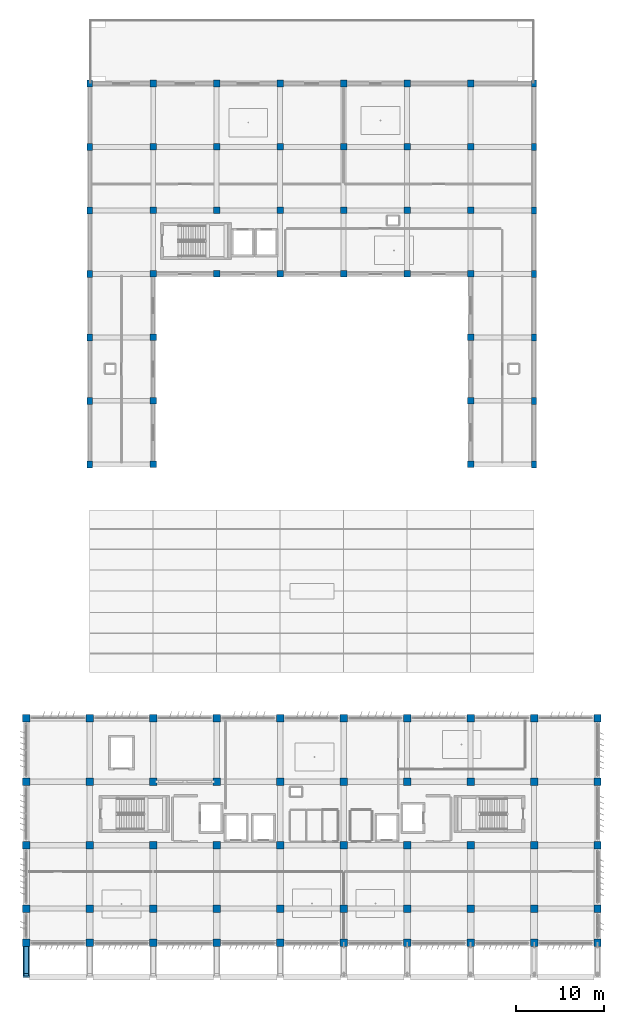
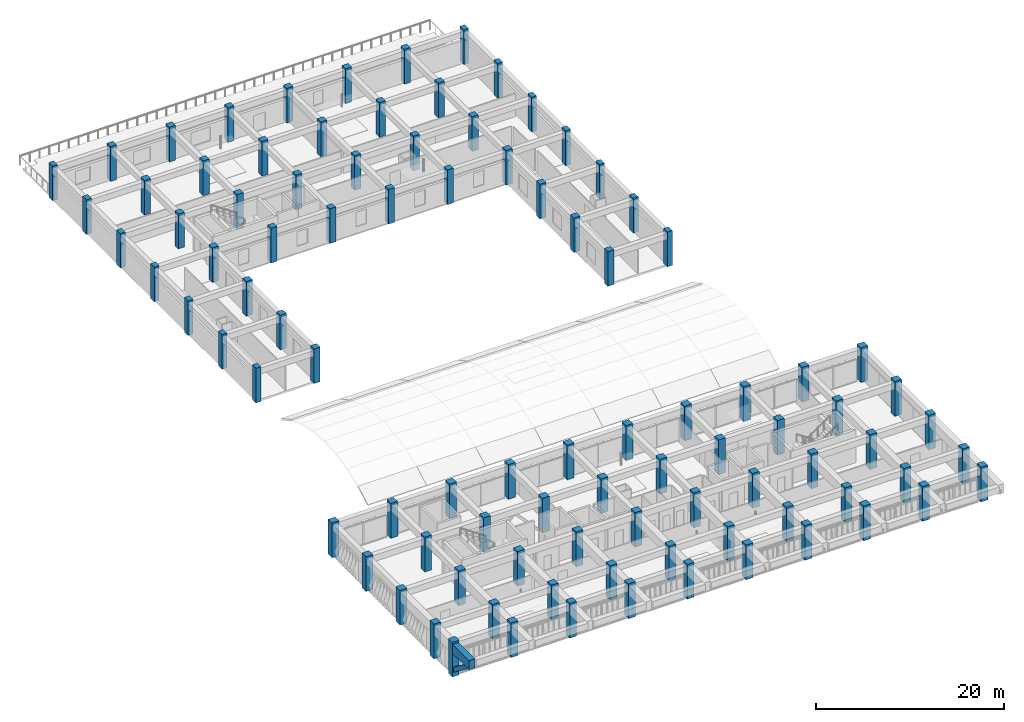
# One storey, part 1 of 56: 94 columns, 1 beam, 1 member.
"""IFC4 building model written with IfcOpenShell, lengths in metres."""

import ifcopenshell
import ifcopenshell.guid

model = None  # the IFC model being written
_history = None  # IfcOwnerHistory: only IFC2X3 demands one
_inside = {}  # id of a spatial element -> (the spatial element, [elements in it])
_under = {}  # id of a project, library or spatial element -> (it, [spatial elements below it])
_declared = {}  # id of a project -> (the project, [libraries it declares])
_typed = {}  # id of a type object -> (the type object, [elements of that type])
_made_of = {}  # id of a material, layer set ... -> (it, [elements and type objects made of it])


def new_model(schema):
    """Start an empty IFC model of exactly this schema.

    Asked for "IFC4X3", IfcOpenShell would pick the latest addendum, in which some entities
    have other attributes; the version numbers below select the first issue.
    IFC2X3 requires an IfcOwnerHistory on every rooted entity: one is made here for all.
    """
    global model, _history
    if schema == "IFC4X3":
        model = ifcopenshell.file(schema_version=(4, 3, 0, 0))
    else:
        model = ifcopenshell.file(schema=schema)
    _inside.clear()
    _under.clear()
    _declared.clear()
    _typed.clear()
    _made_of.clear()
    _history = None
    if model.schema == "IFC2X3":
        org = make("IfcOrganization", Name="unknown")
        user = make(
            "IfcPersonAndOrganization",
            ThePerson=make("IfcPerson", FamilyName="unknown"),
            TheOrganization=org,
        )
        app = make(
            "IfcApplication",
            ApplicationDeveloper=org,
            Version="unknown",
            ApplicationFullName="unknown",
            ApplicationIdentifier="unknown",
        )
        _history = make(
            "IfcOwnerHistory",
            OwningUser=user,
            OwningApplication=app,
            ChangeAction="ADDED",
            CreationDate=0,
        )
    return model


def make(cls, **values):
    """One entity of the class cls with the attributes given. An attribute that is None is left unset."""
    return model.create_entity(
        cls, **{name: value for name, value in values.items() if value is not None}
    )


def rooted(cls, **values):
    """An entity with a GlobalId (a new one), such as an element, a storey or a relation."""
    return make(cls, GlobalId=ifcopenshell.guid.new(), OwnerHistory=_history, **values)


def si_unit(unit_type, name, prefix=None):
    """IfcSIUnit, for example si_unit("LENGTHUNIT", "METRE", prefix="MILLI")."""
    return make("IfcSIUnit", UnitType=unit_type, Prefix=prefix, Name=name)


def assignment(units):
    """IfcUnitAssignment: the units of a project."""
    return None if units is None else make("IfcUnitAssignment", Units=units)


def point(xyz):
    """IfcCartesianPoint."""
    return None if xyz is None else make("IfcCartesianPoint", Coordinates=xyz)


def direction(xyz):
    """IfcDirection."""
    return None if xyz is None else make("IfcDirection", DirectionRatios=xyz)


def frame(location, z_axis=None, x_axis=None):
    """IfcAxis2Placement3D, a coordinate frame: its origin and axes. An axis left out is left unset."""
    return make(
        "IfcAxis2Placement3D",
        Location=point(location),
        Axis=direction(z_axis),
        RefDirection=direction(x_axis),
    )


def frame_2d(location, x_axis=None):
    """IfcAxis2Placement2D, a coordinate frame in the plane: its origin and x axis."""
    return make(
        "IfcAxis2Placement2D", Location=point(location), RefDirection=direction(x_axis)
    )


def origin():
    """The frame at (0, 0, 0) with its axes left unset."""
    return frame((0.0, 0.0, 0.0))


def origin_2d():
    """The frame at (0, 0) in the plane with its x axis left unset."""
    return frame_2d((0.0, 0.0))


def place(relative_to, where):
    """IfcLocalPlacement: puts the frame where relative to a parent placement (None: the world)."""
    return make(
        "IfcLocalPlacement", PlacementRelTo=relative_to, RelativePlacement=where
    )


def context(
    kind, dimensions, precision=None, world=None, true_north=None, identifier=None
):
    """IfcGeometricRepresentationContext, for example the 3D "Model" context."""
    return make(
        "IfcGeometricRepresentationContext",
        ContextIdentifier=identifier,
        ContextType=kind,
        CoordinateSpaceDimension=dimensions,
        Precision=precision,
        WorldCoordinateSystem=world,
        TrueNorth=true_north,
    )


def subcontext(parent, identifier, kind, view, scale=None):
    """IfcGeometricRepresentationSubContext, for example "Body" below "Model"."""
    return make(
        "IfcGeometricRepresentationSubContext",
        ContextIdentifier=identifier,
        ContextType=kind,
        ParentContext=parent,
        TargetScale=scale,
        TargetView=view,
    )


def project(units=None, contexts=None):
    """IfcProject with its units and contexts."""
    return rooted(
        "IfcProject",
        Name="project",
        RepresentationContexts=contexts,
        UnitsInContext=assignment(units),
    )


def spatial(cls, under=None, at=None, **own):
    """A site, building, storey or space (cls), placed at a placement, below another one or the project."""
    s = rooted(cls, ObjectPlacement=at, **own)
    if under is not None:
        _under.setdefault(under.id(), (under, []))[1].append(s)
    return s


def profile(cls, at=None, kind="AREA", **sizes):
    """A parametric profile (cls). Its sizes go by their IFC names, for example OverallWidth=200.0."""
    return make(cls, ProfileType=kind, Position=at, **sizes)


def rectangle(**sizes):
    """IfcRectangleProfileDef."""
    return profile("IfcRectangleProfileDef", **sizes)


def extrude(swept, where, along, depth):
    """IfcExtrudedAreaSolid: the profile swept, set in the frame where, extruded along a direction by depth."""
    return make(
        "IfcExtrudedAreaSolid",
        SweptArea=swept,
        Position=where,
        ExtrudedDirection=direction(along),
        Depth=depth,
    )


def shape(context_of_items, identifier, shape_type, items):
    """IfcShapeRepresentation: the items that make up one representation, for example the "Body"."""
    return make(
        "IfcShapeRepresentation",
        ContextOfItems=context_of_items,
        RepresentationIdentifier=identifier,
        RepresentationType=shape_type,
        Items=items,
    )


def material(Name=None, Category=None):
    """IfcMaterial."""
    return make("IfcMaterial", Name=Name, Category=Category)


def material_profile(
    of_material, cross_section, Name=None, Category=None, Priority=None
):
    """IfcMaterialProfile: a cross section and its material."""
    return make(
        "IfcMaterialProfile",
        Name=Name,
        Material=of_material,
        Profile=cross_section,
        Priority=Priority,
        Category=Category,
    )


def profile_set(profiles, Name=None, composite=None):
    """IfcMaterialProfileSet."""
    return make(
        "IfcMaterialProfileSet",
        Name=Name,
        MaterialProfiles=profiles,
        CompositeProfile=composite,
    )


def made_of(thing, what):
    """Note that an element or type object is made of a material, layer set ...; save() writes the relation."""
    if what is not None:
        _made_of.setdefault(what.id(), (what, []))[1].append(thing)
    return thing


def type_object(cls, material=None, **own):
    """A type object (cls), such as IfcWallType, which elements share."""
    return made_of(rooted(cls, **own), material)


def element(
    cls,
    number,
    at=None,
    inside=None,
    cuts=None,
    type_object=None,
    material=None,
    context=None,
    identifier="Body",
    shape_type=None,
    held_by="IfcProductDefinitionShape",
    body=None,
    shapes=None,
    **own,
):
    """One element of the class cls, such as IfcWall. Its Tag is "e" and its number.

    at: its placement. inside: the storey or other place that contains it. cuts: it is an
    opening in that element (IfcRelVoidsElement). A single representation is given by context,
    identifier, shape_type and body (its items); several are given by shapes. held_by: the class
    of the entity that holds the representations. save() writes the other relations.
    """
    e = rooted(cls, Tag="e%d" % number, ObjectPlacement=at, **own)
    if body is not None:
        shapes = [shape(context, identifier, shape_type, body)]
    if shapes is not None:
        e.Representation = make(held_by, Representations=shapes)
    if inside is not None:
        _inside.setdefault(inside.id(), (inside, []))[1].append(e)
    if cuts is not None:
        rooted(
            "IfcRelVoidsElement", RelatingBuildingElement=cuts, RelatedOpeningElement=e
        )
    if type_object is not None:
        _typed.setdefault(type_object.id(), (type_object, []))[1].append(e)
    return made_of(e, material)


def aggregate(whole, parts):
    """IfcRelAggregates: a whole, such as a stair, and the parts it consists of."""
    return rooted("IfcRelAggregates", RelatingObject=whole, RelatedObjects=parts)


def save(model, path):
    """Write the relations noted so far, then the file.

    IfcRelAggregates (storeys below a building ...), IfcRelContainedInSpatialStructure (elements
    in a storey), IfcRelDefinesByType, IfcRelAssociatesMaterial and IfcRelDeclares: one each for
    every whole, place, type object, material and project.
    """
    for whole, parts in _under.values():
        aggregate(whole, parts)
    for where, things in _inside.values():
        rooted(
            "IfcRelContainedInSpatialStructure",
            RelatedElements=things,
            RelatingStructure=where,
        )
    for kind, things in _typed.values():
        rooted("IfcRelDefinesByType", RelatedObjects=things, RelatingType=kind)
    for what, things in _made_of.values():
        rooted("IfcRelAssociatesMaterial", RelatedObjects=things, RelatingMaterial=what)
    for by, libraries in _declared.values():
        rooted("IfcRelDeclares", RelatingContext=by, RelatedDefinitions=libraries)
    model.write(path)


model = new_model("IFC4")

# Units and contexts
model_context = context("Model", 3, precision=1e-05, world=origin(), true_north=direction((0.0, 1.0)))
body_context = subcontext(model_context, "Body", "Model", "MODEL_VIEW")
ifc_project = project(units=[si_unit("LENGTHUNIT", "METRE"), si_unit("AREAUNIT", "SQUARE_METRE"), si_unit("VOLUMEUNIT", "CUBIC_METRE"), si_unit("PLANEANGLEUNIT", "RADIAN"), si_unit("MASSUNIT", "GRAM", prefix="KILO")], contexts=[model_context])

# Site, building, storey
site_placement = place(None, origin())
site = spatial("IfcSite", under=ifc_project, at=site_placement, CompositionType="ELEMENT")
building_placement = place(site_placement, origin())
building = spatial("IfcBuilding", under=site, at=building_placement, Name="Kazehaya Institute of Natural Sciences", CompositionType="ELEMENT")
storey_placement = place(building_placement, frame((0.0, 0.0, 24.300048828125)))
storey = spatial("IfcBuildingStorey", under=building, at=storey_placement, Name="L05", CompositionType="ELEMENT", Elevation=24.300048828125)

# Columns
ifc_material = material(Name="Concrete Fc42", Category="concrete")
ifc_material_profile_1 = material_profile(ifc_material, rectangle(XDim=0.75, YDim=0.75, at=origin_2d()), Name="RC-750x750")
ifc_profile_set_1 = profile_set([ifc_material_profile_1], Name="Concrete Fc42")
column_type_1 = type_object("IfcColumnType", Name="COL-RC750", PredefinedType="COLUMN", material=ifc_profile_set_1)
for number, where, z_axis, x_axis, name in (
    (1, (69.0, 64.39990234375, 0.0), (0.0, 0.0, 1.0), (1.0, 0.0, 0.0), "L05 column COL-L05-1066"),
    (2, (105.0, 64.39990234375, 0.0), (0.0, 0.0, 1.0), (1.0, 0.0, 0.0), "L05 column COL-L05-1067"),
    (3, (69.0, 71.60009765625, 0.0), (0.0, 0.0, 1.0), (1.0, 0.0, 0.0), "L05 column COL-L05-1070"),
    (4, (105.0, 71.60009765625, 0.0), (0.0, 0.0, 1.0), (1.0, 0.0, 0.0), "L05 column COL-L05-1071"),
    (5, (69.0, 78.800048828125, 0.0), (0.0, 0.0, 1.0), (1.0, 0.0, 0.0), "L05 column COL-L05-1074"),
    (6, (105.0, 78.800048828125, 0.0), (0.0, 0.0, 1.0), (1.0, 0.0, 0.0), "L05 column COL-L05-1075"),
    (7, (69.0, 86.0, 0.0), (0.0, 0.0, 1.0), (1.0, 0.0, 0.0), "L05 column COL-L05-1078"),
    (8, (76.199951171875, 86.0, 0.0), (0.0, 0.0, 1.0), (1.0, 0.0, 0.0), "L05 column COL-L05-1079"),
    (9, (83.39990234375, 86.0, 0.0), (0.0, 0.0, 1.0), (1.0, 0.0, 0.0), "L05 column COL-L05-1080"),
    (10, (90.60009765625, 86.0, 0.0), (0.0, 0.0, 1.0), (1.0, 0.0, 0.0), "L05 column COL-L05-1081"),
    (11, (97.800048828125, 86.0, 0.0), (0.0, 0.0, 1.0), (1.0, 0.0, 0.0), "L05 column COL-L05-1082"),
    (12, (105.0, 86.0, 0.0), (0.0, 0.0, 1.0), (1.0, 0.0, 0.0), "L05 column COL-L05-1083"),
    (13, (69.0, 93.199951171875, 0.0), (0.0, 0.0, 1.0), (1.0, 0.0, 0.0), "L05 column COL-L05-1086"),
    (14, (76.199951171875, 93.199951171875, 0.0), (0.0, 0.0, 1.0), (1.0, 0.0, 0.0), "L05 column COL-L05-1087"),
    (15, (83.39990234375, 93.199951171875, 0.0), (0.0, 0.0, 1.0), (1.0, 0.0, 0.0), "L05 column COL-L05-1088"),
    (16, (90.60009765625, 93.199951171875, 0.0), (0.0, 0.0, 1.0), (1.0, 0.0, 0.0), "L05 column COL-L05-1089"),
    (17, (97.800048828125, 93.199951171875, 0.0), (0.0, 0.0, 1.0), (1.0, 0.0, 0.0), "L05 column COL-L05-1090"),
    (18, (105.0, 93.199951171875, 0.0), (0.0, 0.0, 1.0), (1.0, 0.0, 0.0), "L05 column COL-L05-1091"),
    (19, (69.0, 100.39990234375, 0.0), (0.0, 0.0, 1.0), (1.0, 0.0, 0.0), "L05 column COL-L05-1094"),
    (20, (76.199951171875, 100.39990234375, 0.0), (0.0, 0.0, 1.0), (1.0, 0.0, 0.0), "L05 column COL-L05-1095"),
    (21, (83.39990234375, 100.39990234375, 0.0), (0.0, 0.0, 1.0), (1.0, 0.0, 0.0), "L05 column COL-L05-1096"),
    (22, (90.60009765625, 100.39990234375, 0.0), (0.0, 0.0, 1.0), (1.0, 0.0, 0.0), "L05 column COL-L05-1097"),
    (23, (97.800048828125, 100.39990234375, 0.0), (0.0, 0.0, 1.0), (1.0, 0.0, 0.0), "L05 column COL-L05-1098"),
    (24, (105.0, 100.39990234375, 0.0), (0.0, 0.0, 1.0), (1.0, 0.0, 0.0), "L05 column COL-L05-1099"),
    (25, (69.0, 107.60009765625, 0.0), (0.0, 0.0, 1.0), (1.0, 0.0, 0.0), "L05 column COL-L05-1102"),
    (26, (76.199951171875, 107.60009765625, 0.0), (0.0, 0.0, 1.0), (1.0, 0.0, 0.0), "L05 column COL-L05-1103"),
    (27, (83.39990234375, 107.60009765625, 0.0), (0.0, 0.0, 1.0), (1.0, 0.0, 0.0), "L05 column COL-L05-1104"),
    (28, (90.60009765625, 107.60009765625, 0.0), (0.0, 0.0, 1.0), (1.0, 0.0, 0.0), "L05 column COL-L05-1105"),
    (29, (97.800048828125, 107.60009765625, 0.0), (0.0, 0.0, 1.0), (1.0, 0.0, 0.0), "L05 column COL-L05-1106"),
    (30, (105.0, 107.60009765625, 0.0), (0.0, 0.0, 1.0), (1.0, 0.0, 0.0), "L05 column COL-L05-1107"),
):
    element("IfcColumn", number, at=place(storey_placement, frame(where, z_axis=z_axis, x_axis=x_axis)), inside=storey, type_object=column_type_1, Name=name, PredefinedType="COLUMN", context=body_context, shape_type="SweptSolid", body=[
        extrude(rectangle(XDim=0.75, YDim=0.75, at=origin_2d()), origin(), (0.0, 0.0, 1.0), 4.5),
    ])
ifc_material_profile_2 = material_profile(ifc_material, rectangle(XDim=0.60009765625, YDim=0.800048828125, at=origin_2d()), Name="RC-800x600")
ifc_profile_set_2 = profile_set([ifc_material_profile_2], Name="Concrete Fc42")
column_type_2 = type_object("IfcColumnType", Name="COL-RC800x600", PredefinedType="COLUMN", material=ifc_profile_set_2)
for number, where, z_axis, x_axis, name in (
    (31, (61.800048828125, 64.39990234375, 0.0), (0.0, 0.0, 1.0), (1.0, 0.0, 0.0), "L05 column COL-L05-1065"),
    (32, (112.199951171875, 64.39990234375, 0.0), (0.0, 0.0, 1.0), (1.0, 0.0, 0.0), "L05 column COL-L05-1068"),
    (33, (61.800048828125, 71.60009765625, 0.0), (0.0, 0.0, 1.0), (1.0, 0.0, 0.0), "L05 column COL-L05-1069"),
    (34, (112.199951171875, 71.60009765625, 0.0), (0.0, 0.0, 1.0), (1.0, 0.0, 0.0), "L05 column COL-L05-1072"),
    (35, (61.800048828125, 78.800048828125, 0.0), (0.0, 0.0, 1.0), (1.0, 0.0, 0.0), "L05 column COL-L05-1073"),
    (36, (112.199951171875, 78.800048828125, 0.0), (0.0, 0.0, 1.0), (1.0, 0.0, 0.0), "L05 column COL-L05-1076"),
    (37, (61.800048828125, 86.0, 0.0), (0.0, 0.0, 1.0), (1.0, 0.0, 0.0), "L05 column COL-L05-1077"),
    (38, (112.199951171875, 86.0, 0.0), (0.0, 0.0, 1.0), (1.0, 0.0, 0.0), "L05 column COL-L05-1084"),
    (39, (61.800048828125, 93.199951171875, 0.0), (0.0, 0.0, 1.0), (1.0, 0.0, 0.0), "L05 column COL-L05-1085"),
    (40, (112.199951171875, 93.199951171875, 0.0), (0.0, 0.0, 1.0), (1.0, 0.0, 0.0), "L05 column COL-L05-1092"),
    (41, (61.800048828125, 100.39990234375, 0.0), (0.0, 0.0, 1.0), (1.0, 0.0, 0.0), "L05 column COL-L05-1093"),
    (42, (112.199951171875, 100.39990234375, 0.0), (0.0, 0.0, 1.0), (1.0, 0.0, 0.0), "L05 column COL-L05-1100"),
    (43, (61.800048828125, 107.60009765625, 0.0), (0.0, 0.0, 1.0), (1.0, 0.0, 0.0), "L05 column COL-L05-1101"),
    (44, (112.199951171875, 107.60009765625, 0.0), (0.0, 0.0, 1.0), (1.0, 0.0, 0.0), "L05 column COL-L05-1108"),
):
    element("IfcColumn", number, at=place(storey_placement, frame(where, z_axis=z_axis, x_axis=x_axis)), inside=storey, type_object=column_type_2, Name=name, PredefinedType="COLUMN", context=body_context, shape_type="SweptSolid", body=[
        extrude(rectangle(XDim=0.60009765625, YDim=0.800048828125, at=origin_2d()), origin(), (0.0, 0.0, 1.0), 4.5),
    ])
ifc_material_profile_3 = material_profile(ifc_material, rectangle(XDim=0.85009765625, YDim=0.85009765625, at=origin_2d()), Name="RC-850x850")
ifc_profile_set_3 = profile_set([ifc_material_profile_3], Name="Concrete Fc42")
column_type_3 = type_object("IfcColumnType", Name="COL-RC850", PredefinedType="COLUMN", material=ifc_profile_set_3)
for number, where, z_axis, x_axis, name in (
    (45, (54.60009765625, 10.10009765625, 0.0), (0.0, 0.0, 1.0), (1.0, 0.0, 0.0), "L05 column COL-L05-1015"),
    (46, (61.800048828125, 10.10009765625, 0.0), (0.0, 0.0, 1.0), (1.0, 0.0, 0.0), "L05 column COL-L05-1016"),
    (47, (69.0, 10.10009765625, 0.0), (0.0, 0.0, 1.0), (1.0, 0.0, 0.0), "L05 column COL-L05-1017"),
    (48, (76.199951171875, 10.10009765625, 0.0), (0.0, 0.0, 1.0), (1.0, 0.0, 0.0), "L05 column COL-L05-1018"),
    (49, (83.39990234375, 10.10009765625, 0.0), (0.0, 0.0, 1.0), (1.0, 0.0, 0.0), "L05 column COL-L05-1019"),
    (50, (90.60009765625, 10.10009765625, 0.0), (0.0, 0.0, 1.0), (1.0, 0.0, 0.0), "L05 column COL-L05-1020"),
    (51, (97.800048828125, 10.10009765625, 0.0), (0.0, 0.0, 1.0), (1.0, 0.0, 0.0), "L05 column COL-L05-1021"),
    (52, (105.0, 10.10009765625, 0.0), (0.0, 0.0, 1.0), (1.0, 0.0, 0.0), "L05 column COL-L05-1022"),
    (53, (112.199951171875, 10.10009765625, 0.0), (0.0, 0.0, 1.0), (1.0, 0.0, 0.0), "L05 column COL-L05-1023"),
    (54, (119.39990234375, 10.10009765625, 0.0), (0.0, 0.0, 1.0), (1.0, 0.0, 0.0), "L05 column COL-L05-1024"),
    (55, (54.60009765625, 14.0, 0.0), (0.0, 0.0, 1.0), (1.0, 0.0, 0.0), "L05 column COL-L05-1025"),
    (56, (61.800048828125, 14.0, 0.0), (0.0, 0.0, 1.0), (1.0, 0.0, 0.0), "L05 column COL-L05-1026"),
    (57, (69.0, 14.0, 0.0), (0.0, 0.0, 1.0), (1.0, 0.0, 0.0), "L05 column COL-L05-1027"),
    (58, (76.199951171875, 14.0, 0.0), (0.0, 0.0, 1.0), (1.0, 0.0, 0.0), "L05 column COL-L05-1028"),
    (59, (83.39990234375, 14.0, 0.0), (0.0, 0.0, 1.0), (1.0, 0.0, 0.0), "L05 column COL-L05-1029"),
    (60, (90.60009765625, 14.0, 0.0), (0.0, 0.0, 1.0), (1.0, 0.0, 0.0), "L05 column COL-L05-1030"),
    (61, (97.800048828125, 14.0, 0.0), (0.0, 0.0, 1.0), (1.0, 0.0, 0.0), "L05 column COL-L05-1031"),
    (62, (105.0, 14.0, 0.0), (0.0, 0.0, 1.0), (1.0, 0.0, 0.0), "L05 column COL-L05-1032"),
    (63, (112.199951171875, 14.0, 0.0), (0.0, 0.0, 1.0), (1.0, 0.0, 0.0), "L05 column COL-L05-1033"),
    (64, (119.39990234375, 14.0, 0.0), (0.0, 0.0, 1.0), (1.0, 0.0, 0.0), "L05 column COL-L05-1034"),
    (65, (54.60009765625, 21.199951171875, 0.0), (0.0, 0.0, 1.0), (1.0, 0.0, 0.0), "L05 column COL-L05-1035"),
    (66, (61.800048828125, 21.199951171875, 0.0), (0.0, 0.0, 1.0), (1.0, 0.0, 0.0), "L05 column COL-L05-1036"),
    (67, (69.0, 21.199951171875, 0.0), (0.0, 0.0, 1.0), (1.0, 0.0, 0.0), "L05 column COL-L05-1037"),
    (68, (76.199951171875, 21.199951171875, 0.0), (0.0, 0.0, 1.0), (1.0, 0.0, 0.0), "L05 column COL-L05-1038"),
    (69, (83.39990234375, 21.199951171875, 0.0), (0.0, 0.0, 1.0), (1.0, 0.0, 0.0), "L05 column COL-L05-1039"),
    (70, (90.60009765625, 21.199951171875, 0.0), (0.0, 0.0, 1.0), (1.0, 0.0, 0.0), "L05 column COL-L05-1040"),
    (71, (97.800048828125, 21.199951171875, 0.0), (0.0, 0.0, 1.0), (1.0, 0.0, 0.0), "L05 column COL-L05-1041"),
    (72, (105.0, 21.199951171875, 0.0), (0.0, 0.0, 1.0), (1.0, 0.0, 0.0), "L05 column COL-L05-1042"),
    (73, (112.199951171875, 21.199951171875, 0.0), (0.0, 0.0, 1.0), (1.0, 0.0, 0.0), "L05 column COL-L05-1043"),
    (74, (119.39990234375, 21.199951171875, 0.0), (0.0, 0.0, 1.0), (1.0, 0.0, 0.0), "L05 column COL-L05-1044"),
    (75, (54.60009765625, 28.39990234375, 0.0), (0.0, 0.0, 1.0), (1.0, 0.0, 0.0), "L05 column COL-L05-1045"),
    (76, (61.800048828125, 28.39990234375, 0.0), (0.0, 0.0, 1.0), (1.0, 0.0, 0.0), "L05 column COL-L05-1046"),
    (77, (69.0, 28.39990234375, 0.0), (0.0, 0.0, 1.0), (1.0, 0.0, 0.0), "L05 column COL-L05-1047"),
    (78, (76.199951171875, 28.39990234375, 0.0), (0.0, 0.0, 1.0), (1.0, 0.0, 0.0), "L05 column COL-L05-1048"),
    (79, (83.39990234375, 28.39990234375, 0.0), (0.0, 0.0, 1.0), (1.0, 0.0, 0.0), "L05 column COL-L05-1049"),
    (80, (90.60009765625, 28.39990234375, 0.0), (0.0, 0.0, 1.0), (1.0, 0.0, 0.0), "L05 column COL-L05-1050"),
    (81, (97.800048828125, 28.39990234375, 0.0), (0.0, 0.0, 1.0), (1.0, 0.0, 0.0), "L05 column COL-L05-1051"),
    (82, (105.0, 28.39990234375, 0.0), (0.0, 0.0, 1.0), (1.0, 0.0, 0.0), "L05 column COL-L05-1052"),
    (83, (112.199951171875, 28.39990234375, 0.0), (0.0, 0.0, 1.0), (1.0, 0.0, 0.0), "L05 column COL-L05-1053"),
    (84, (119.39990234375, 28.39990234375, 0.0), (0.0, 0.0, 1.0), (1.0, 0.0, 0.0), "L05 column COL-L05-1054"),
    (85, (54.60009765625, 35.60009765625, 0.0), (0.0, 0.0, 1.0), (1.0, 0.0, 0.0), "L05 column COL-L05-1055"),
    (86, (61.800048828125, 35.60009765625, 0.0), (0.0, 0.0, 1.0), (1.0, 0.0, 0.0), "L05 column COL-L05-1056"),
    (87, (69.0, 35.60009765625, 0.0), (0.0, 0.0, 1.0), (1.0, 0.0, 0.0), "L05 column COL-L05-1057"),
    (88, (76.199951171875, 35.60009765625, 0.0), (0.0, 0.0, 1.0), (1.0, 0.0, 0.0), "L05 column COL-L05-1058"),
    (89, (83.39990234375, 35.60009765625, 0.0), (0.0, 0.0, 1.0), (1.0, 0.0, 0.0), "L05 column COL-L05-1059"),
    (90, (90.60009765625, 35.60009765625, 0.0), (0.0, 0.0, 1.0), (1.0, 0.0, 0.0), "L05 column COL-L05-1060"),
    (91, (97.800048828125, 35.60009765625, 0.0), (0.0, 0.0, 1.0), (1.0, 0.0, 0.0), "L05 column COL-L05-1061"),
    (92, (105.0, 35.60009765625, 0.0), (0.0, 0.0, 1.0), (1.0, 0.0, 0.0), "L05 column COL-L05-1062"),
    (93, (112.199951171875, 35.60009765625, 0.0), (0.0, 0.0, 1.0), (1.0, 0.0, 0.0), "L05 column COL-L05-1063"),
    (94, (119.39990234375, 35.60009765625, 0.0), (0.0, 0.0, 1.0), (1.0, 0.0, 0.0), "L05 column COL-L05-1064"),
):
    element("IfcColumn", number, at=place(storey_placement, frame(where, z_axis=z_axis, x_axis=x_axis)), inside=storey, type_object=column_type_3, Name=name, PredefinedType="COLUMN", context=body_context, shape_type="SweptSolid", body=[
        extrude(rectangle(XDim=0.85009765625, YDim=0.85009765625, at=origin_2d()), origin(), (0.0, 0.0, 1.0), 4.5),
    ])

# Beam
ifc_material_profile_4 = material_profile(ifc_material, rectangle(XDim=0.75, YDim=1.199951171875, at=origin_2d()), Name="RC-750x1200")
ifc_profile_set_4 = profile_set([ifc_material_profile_4], Name="Concrete Fc42")
beam_type = type_object("IfcBeamType", Name="BM-TG-750x1200", PredefinedType="BEAM", material=ifc_profile_set_4)
beam_placement = place(storey_placement, frame((54.60009765625, 6.199951171875, 3.6298828125), z_axis=(0.0, 1.0, 0.0), x_axis=(-1.0, 0.0, 0.0)))
element("IfcBeam", 95, at=beam_placement, inside=storey, type_object=beam_type, Name="L05 cantilever transfer girder 1702", PredefinedType="BEAM", context=body_context, shape_type="SweptSolid", body=[
    extrude(rectangle(XDim=0.75, YDim=1.199951171875, at=origin_2d()), origin(), (0.0, 0.0, 1.0), 3.900146484375),
])

# Member
ifc_material_profile_5 = material_profile(ifc_material, rectangle(XDim=0.5, YDim=0.550048828125, at=origin_2d()), Name="RC-500x550")
ifc_profile_set_5 = profile_set([ifc_material_profile_5], Name="Concrete Fc42")
member_type = type_object("IfcMemberType", Name="MEM-STRUT-RC500", PredefinedType="BRACE", material=ifc_profile_set_5)
member_placement = place(storey_placement, frame((54.60009765625, 10.10009765625, 0.599853515625), z_axis=(0.0, -0.802122938841, 0.597158932768), x_axis=(1.0, 0.0, 0.0)))
element("IfcMember", 96, at=member_placement, inside=storey, type_object=member_type, Name="L05 raked cantilever strut 011", PredefinedType="BRACE", context=body_context, shape_type="SweptSolid", body=[
    extrude(rectangle(XDim=0.5, YDim=0.550048828125, at=origin_2d()), origin(), (0.0, 0.0, 1.0), 4.48828125),
])

save(model, "model.ifc")
